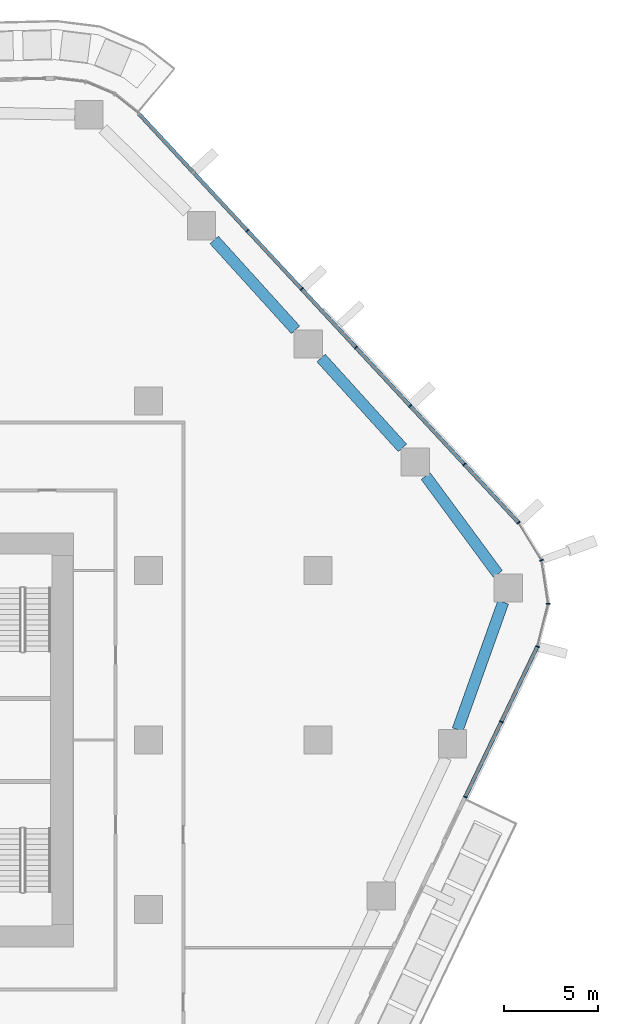
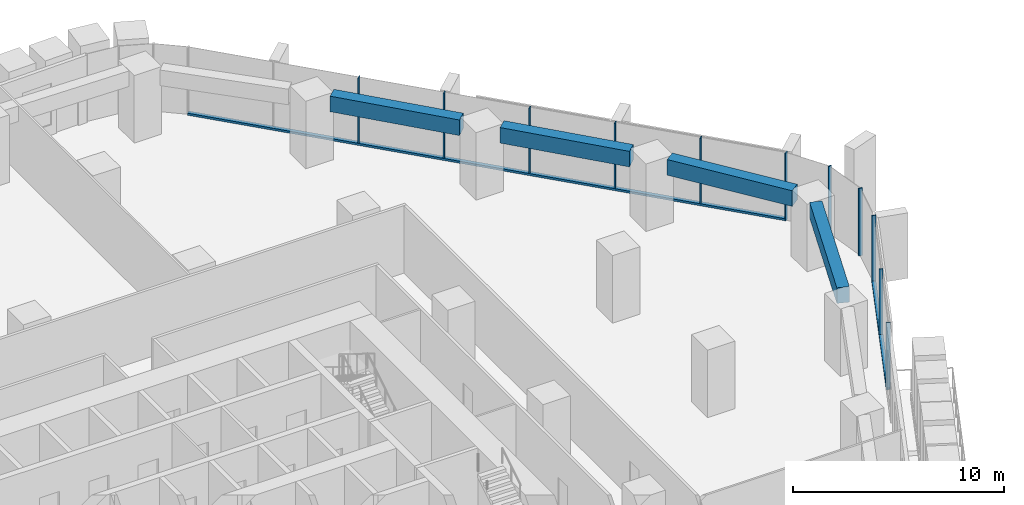
# One storey, part 7 of 23: 13 members, 4 beams, 3 elements without a shape of their own.
"""IFC4 building model written with IfcOpenShell, lengths in metres."""

from ifc_helpers import new_model, si_unit, direction, frame, origin, origin_2d, place, context, subcontext, project, spatial, rectangle, extrude, material, layer, layer_set, material_profile, profile_set, type_object, element, aggregate, save


model = new_model("IFC4")

# Units and contexts
model_context = context("Model", 3, precision=1e-05, world=origin(), true_north=direction((0.0, 1.0)))
body_context = subcontext(model_context, "Body", "Model", "MODEL_VIEW")
ifc_project = project(units=[si_unit("LENGTHUNIT", "METRE"), si_unit("AREAUNIT", "SQUARE_METRE"), si_unit("VOLUMEUNIT", "CUBIC_METRE"), si_unit("PLANEANGLEUNIT", "RADIAN"), si_unit("MASSUNIT", "GRAM", prefix="KILO")], contexts=[model_context])

# Site, building, storey
site_placement = place(None, origin())
site = spatial("IfcSite", under=ifc_project, at=site_placement, CompositionType="ELEMENT")
building_placement = place(site_placement, origin())
building = spatial("IfcBuilding", under=site, at=building_placement, Name="Dongbaek Canopy Tower", CompositionType="ELEMENT")
storey_placement = place(building_placement, frame((0.0, 0.0, 84.699951171875)))
storey = spatial("IfcBuildingStorey", under=building, at=storey_placement, Name="L17", CompositionType="ELEMENT", Elevation=84.699951171875)

# Curtain wall, members
ifc_material_1 = material(Name="Aluminium 6063-T6 pale anodised", Category="aluminium")
ifc_layer = layer(ifc_material_1, 0.199951171875)
ifc_layer_set = layer_set([ifc_layer], Name="CW-1 unitised tower curtain wall")
curtain_wall_type = type_object("IfcCurtainWallType", Name="CW-1 unitised tower curtain wall", PredefinedType="NOTDEFINED", material=ifc_layer_set)
curtain_wall_1_placement = place(storey_placement, origin())
curtain_wall_1 = element("IfcCurtainWall", 1, at=curtain_wall_1_placement, inside=storey, type_object=curtain_wall_type, Name="CW-1 curtain wall K0.1", PredefinedType="NOTDEFINED")
ifc_material_2 = material(Name="Aluminium 6063-T6 pale anodised", Category="aluminium")
ifc_material_profile_1 = material_profile(ifc_material_2, rectangle(XDim=0.199951171875, YDim=0.06005859375, at=origin_2d()), Name="CW-1 mullion 60 x 200")
ifc_profile_set_1 = profile_set([ifc_material_profile_1], Name="Aluminium 6063-T6 pale anodised")
member_type_1 = type_object("IfcMemberType", Name="CW-1 mullion 60 x 200", PredefinedType="MULLION", material=ifc_profile_set_1)
member_1_placement = place(storey_placement, frame((38.643798828125, 4.96044921875, 0.0), z_axis=(0.0, 0.0, 1.0), x_axis=(0.969501765799, -0.245084324494, 0.0)))
member_1 = element("IfcMember", 2, at=member_1_placement, type_object=member_type_1, Name="CW-1 mullion K0.1.1", PredefinedType="MULLION", context=body_context, shape_type="SweptSolid", body=[
    extrude(rectangle(XDim=0.199951171875, YDim=0.06005859375, at=origin_2d()), origin(), (0.0, 0.0, 1.0), 3.900146484375),
])
member_2_placement = place(storey_placement, frame((39.218505859375, 7.2333984375, 0.0), z_axis=(0.0, 0.0, 1.0), x_axis=(0.998829055821, -0.048378892576, 0.0)))
member_2 = element("IfcMember", 3, at=member_2_placement, type_object=member_type_1, Name="CW-1 mullion K0.1.2", PredefinedType="MULLION", context=body_context, shape_type="SweptSolid", body=[
    extrude(rectangle(XDim=0.199951171875, YDim=0.06005859375, at=origin_2d()), origin(), (0.0, 0.0, 1.0), 3.900146484375),
])
member_3_placement = place(storey_placement, frame((38.86767578125, 9.541259765625, 0.0), z_axis=(0.0, 0.0, 1.0), x_axis=(0.939365860127, 0.342916579984, 0.0)))
member_3 = element("IfcMember", 4, at=member_3_placement, type_object=member_type_1, Name="CW-1 mullion K0.1.3", PredefinedType="MULLION", context=body_context, shape_type="SweptSolid", body=[
    extrude(rectangle(XDim=0.199951171875, YDim=0.06005859375, at=origin_2d()), origin(), (0.0, 0.0, 1.0), 3.900146484375),
])
member_4_placement = place(storey_placement, frame((37.643798828125, 11.541015625, 0.0), z_axis=(0.0, 0.0, 1.0), x_axis=(0.852927329149, 0.522029665049, 0.0)))
member_4 = element("IfcMember", 5, at=member_4_placement, type_object=member_type_1, Name="CW-1 mullion K0.1.4", PredefinedType="MULLION", context=body_context, shape_type="SweptSolid", body=[
    extrude(rectangle(XDim=0.199951171875, YDim=0.06005859375, at=origin_2d()), origin(), (0.0, 0.0, 1.0), 3.900146484375),
])
aggregate(curtain_wall_1, [member_1, member_2, member_3, member_4])

curtain_wall_2_placement = place(storey_placement, origin())
curtain_wall_2 = element("IfcCurtainWall", 6, at=curtain_wall_2_placement, inside=storey, type_object=curtain_wall_type, Name="CW-1 curtain wall F0.1", PredefinedType="NOTDEFINED")
member_5_placement = place(storey_placement, frame((34.769775390625, 14.6357421875, 0.1201171875), z_axis=(0.0, 0.0, 1.0), x_axis=(0.732752863819, 0.680494849771, 0.0)))
member_5 = element("IfcMember", 7, at=member_5_placement, type_object=member_type_1, Name="CW-1 mullion F0.1.2", PredefinedType="MULLION", context=body_context, shape_type="SweptSolid", body=[
    extrude(rectangle(XDim=0.199951171875, YDim=0.06005859375, at=origin_2d()), origin(), (0.0, 0.0, 1.0), 3.780029296875),
])
member_6_placement = place(storey_placement, frame((31.888916015625, 17.73779296875, 0.1201171875), z_axis=(0.0, 0.0, 1.0), x_axis=(0.732752863819, 0.680494849771, 0.0)))
member_6 = element("IfcMember", 8, at=member_6_placement, type_object=member_type_1, Name="CW-1 mullion F0.1.3", PredefinedType="MULLION", context=body_context, shape_type="SweptSolid", body=[
    extrude(rectangle(XDim=0.199951171875, YDim=0.06005859375, at=origin_2d()), origin(), (0.0, 0.0, 1.0), 3.780029296875),
])
member_7_placement = place(storey_placement, frame((29.008056640625, 20.83984375, 0.1201171875), z_axis=(0.0, 0.0, 1.0), x_axis=(0.732752863819, 0.680494849771, 0.0)))
member_7 = element("IfcMember", 9, at=member_7_placement, type_object=member_type_1, Name="CW-1 mullion F0.1.4", PredefinedType="MULLION", context=body_context, shape_type="SweptSolid", body=[
    extrude(rectangle(XDim=0.199951171875, YDim=0.06005859375, at=origin_2d()), origin(), (0.0, 0.0, 1.0), 3.780029296875),
])
member_8_placement = place(storey_placement, frame((26.127197265625, 23.94189453125, 0.1201171875), z_axis=(0.0, 0.0, 1.0), x_axis=(0.732752863819, 0.680494849771, 0.0)))
member_8 = element("IfcMember", 10, at=member_8_placement, type_object=member_type_1, Name="CW-1 mullion F0.1.5", PredefinedType="MULLION", context=body_context, shape_type="SweptSolid", body=[
    extrude(rectangle(XDim=0.199951171875, YDim=0.06005859375, at=origin_2d()), origin(), (0.0, 0.0, 1.0), 3.780029296875),
])
member_9_placement = place(storey_placement, frame((23.246337890625, 27.0439453125, 0.1201171875), z_axis=(0.0, 0.0, 1.0), x_axis=(0.732752863819, 0.680494849771, 0.0)))
member_9 = element("IfcMember", 11, at=member_9_placement, type_object=member_type_1, Name="CW-1 mullion F0.1.6", PredefinedType="MULLION", context=body_context, shape_type="SweptSolid", body=[
    extrude(rectangle(XDim=0.199951171875, YDim=0.06005859375, at=origin_2d()), origin(), (0.0, 0.0, 1.0), 3.780029296875),
])

curtain_wall_3_placement = place(storey_placement, origin())
curtain_wall_3 = element("IfcCurtainWall", 12, at=curtain_wall_3_placement, inside=storey, type_object=curtain_wall_type, Name="CW-1 curtain wall F5.1", PredefinedType="NOTDEFINED")
member_10_placement = place(storey_placement, frame((34.816650390625, -3.027587890625, 0.1201171875), z_axis=(0.0, 0.0, 1.0), x_axis=(0.901827659113, -0.432095907478, 0.0)))
member_10 = element("IfcMember", 13, at=member_10_placement, type_object=member_type_1, Name="CW-1 mullion F5.1.1", PredefinedType="MULLION", context=body_context, shape_type="SweptSolid", body=[
    extrude(rectangle(XDim=0.199951171875, YDim=0.06005859375, at=origin_2d()), origin(), (0.0, 0.0, 1.0), 3.780029296875),
])
member_11_placement = place(storey_placement, frame((36.732421875, 0.970947265625, 0.1201171875), z_axis=(0.0, 0.0, 1.0), x_axis=(0.901827659113, -0.432095907478, 0.0)))
member_11 = element("IfcMember", 14, at=member_11_placement, type_object=member_type_1, Name="CW-1 mullion F5.1.2", PredefinedType="MULLION", context=body_context, shape_type="SweptSolid", body=[
    extrude(rectangle(XDim=0.199951171875, YDim=0.06005859375, at=origin_2d()), origin(), (0.0, 0.0, 1.0), 3.780029296875),
])

# Member
ifc_material_3 = material(Name="Aluminium 6063-T6 pale anodised", Category="aluminium")
ifc_material_profile_2 = material_profile(ifc_material_3, rectangle(XDim=0.199951171875, YDim=0.1201171875, at=origin_2d()), Name="CW-1 transom 120 x 200")
ifc_profile_set_2 = profile_set([ifc_material_profile_2], Name="Aluminium 6063-T6 pale anodised")
member_type_2 = type_object("IfcMemberType", Name="CW-1 transom 120 x 200", PredefinedType="USERDEFINED", material=ifc_profile_set_2)
member_12_placement = place(storey_placement, frame((37.643798828125, 11.541015625, 0.06005859375), z_axis=(-0.68049283371, 0.732754736095, 0.0), x_axis=(-0.732754736095, -0.68049283371, 0.0)))
member_12 = element("IfcMember", 15, at=member_12_placement, type_object=member_type_2, Name="CW-1 transom F0.1.1", ObjectType="TRANSOM", PredefinedType="USERDEFINED", context=body_context, shape_type="SweptSolid", body=[
    extrude(rectangle(XDim=0.199951171875, YDim=0.1201171875, at=origin_2d()), origin(), (0.0, 0.0, 1.0), 29.6171875),
])

aggregate(curtain_wall_2, [member_5, member_6, member_7, member_8, member_9, member_12])

member_13_placement = place(storey_placement, frame((34.816650390625, -3.027587890625, 0.06005859375), z_axis=(0.432078616464, 0.901835943614, 0.0), x_axis=(-0.901835943614, 0.432078616464, 0.0)))
member_13 = element("IfcMember", 16, at=member_13_placement, type_object=member_type_2, Name="CW-1 transom F5.1.1", ObjectType="TRANSOM", PredefinedType="USERDEFINED", context=body_context, shape_type="SweptSolid", body=[
    extrude(rectangle(XDim=0.199951171875, YDim=0.1201171875, at=origin_2d()), origin(), (0.0, 0.0, 1.0), 8.857421875),
])

aggregate(curtain_wall_3, [member_10, member_11, member_13])

# Beams
ifc_material_4 = material(Name="Concrete C80", Category="concrete")
ifc_material_profile_3 = material_profile(ifc_material_4, rectangle(XDim=0.60009765625, YDim=0.89990234375, at=origin_2d()), Name="RC EDGE BEAM 600x900 C80")
ifc_profile_set_3 = profile_set([ifc_material_profile_3], Name="Concrete C80")
beam_type = type_object("IfcBeamType", Name="RC EDGE BEAM 600x900 C80", PredefinedType="BEAM", material=ifc_profile_set_3)
beam_1_placement = place(storey_placement, frame((21.484375, 26.547119140625, 3.449951171875), z_axis=(0.671288874095, -0.741195822652, 0.0), x_axis=(0.741195822652, 0.671288874095, 0.0)))
element("IfcBeam", 17, at=beam_1_placement, inside=storey, type_object=beam_type, Name="EDGEBEAM:L17:18", PredefinedType="BEAM", context=body_context, shape_type="SweptSolid", body=[
    extrude(rectangle(XDim=0.60009765625, YDim=0.89990234375, at=origin_2d()), origin(), (0.0, 0.0, 1.0), 6.432861328125),
])
beam_2_placement = place(storey_placement, frame((27.1611328125, 20.279052734375, 3.449951171875), z_axis=(0.671226318279, -0.741252473621, 0.0), x_axis=(0.741252473621, 0.671226318279, 0.0)))
element("IfcBeam", 18, at=beam_2_placement, inside=storey, type_object=beam_type, Name="EDGEBEAM:L17:19", PredefinedType="BEAM", context=body_context, shape_type="SweptSolid", body=[
    extrude(rectangle(XDim=0.60009765625, YDim=0.89990234375, at=origin_2d()), origin(), (0.0, 0.0, 1.0), 6.432373046875),
])
beam_3_placement = place(storey_placement, frame((32.71142578125, 14.010986328125, 3.449951171875), z_axis=(0.593731643304, -0.804663119411, 0.0), x_axis=(0.804663119411, 0.593731643304, 0.0)))
element("IfcBeam", 19, at=beam_3_placement, inside=storey, type_object=beam_type, Name="EDGEBEAM:L17:20", PredefinedType="BEAM", context=body_context, shape_type="SweptSolid", body=[
    extrude(rectangle(XDim=0.60009765625, YDim=0.89990234375, at=origin_2d()), origin(), (0.0, 0.0, 1.0), 6.456298828125),
])
beam_4_placement = place(storey_placement, frame((36.830078125, 7.31591796875, 3.449951171875), z_axis=(-0.336456848831, -0.941698884397, 0.0), x_axis=(0.941698884397, -0.336456848831, 0.0)))
element("IfcBeam", 20, at=beam_4_placement, inside=storey, type_object=beam_type, Name="EDGEBEAM:L17:21", PredefinedType="BEAM", context=body_context, shape_type="SweptSolid", body=[
    extrude(rectangle(XDim=0.60009765625, YDim=0.89990234375, at=origin_2d()), origin(), (0.0, 0.0, 1.0), 7.190185546875),
])

save(model, "model.ifc")
